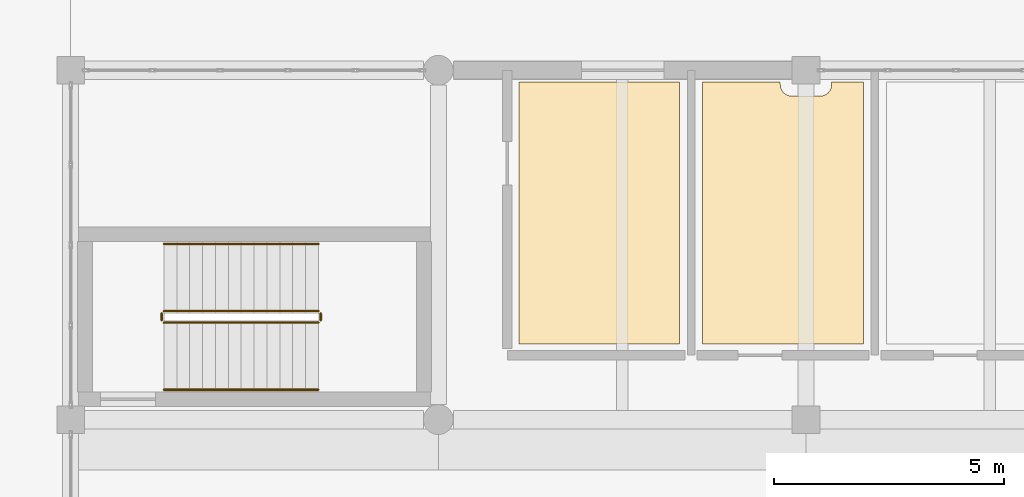
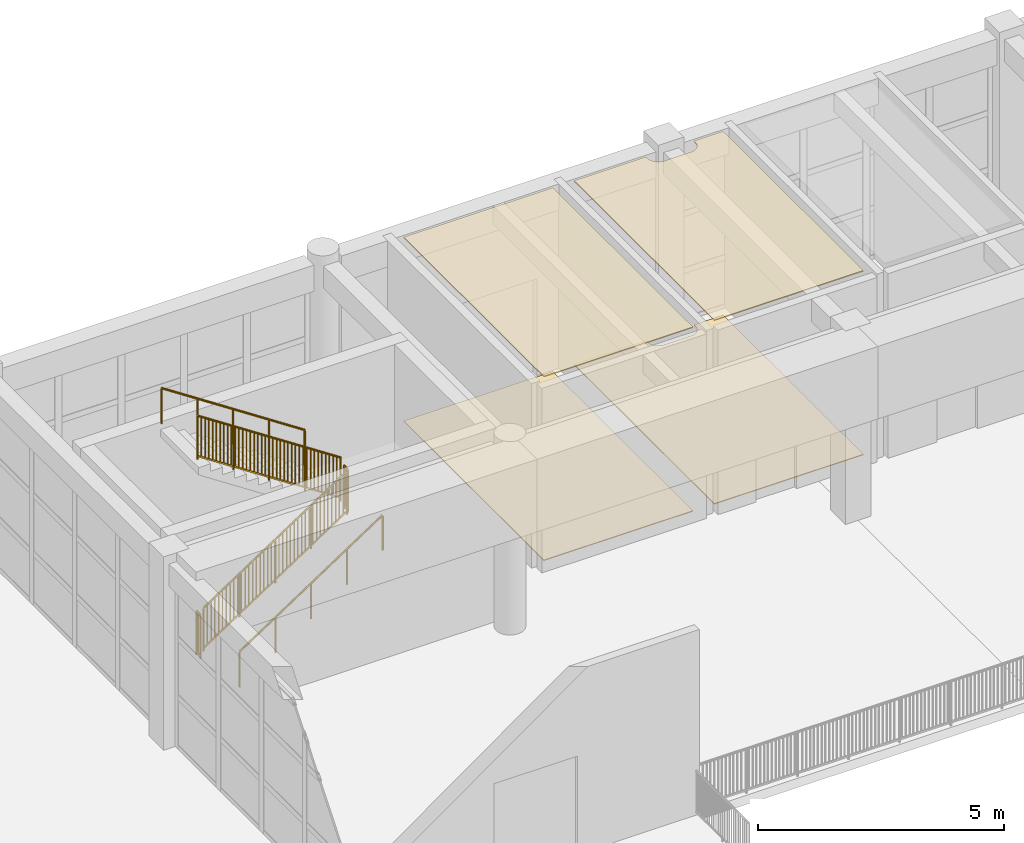
# One storey, part 31 of 32: 6 railings, 4 coverings.
"""IFC4 building model written with IfcOpenShell, lengths in metres."""

from ifc_helpers import new_model, si_unit, direction, frame, origin, origin_2d, place, context, subcontext, project, spatial, polyline, rectangle, circle, outline, extrude, material, layer, layer_set, type_object, element, save


model = new_model("IFC4")

# Units and contexts
model_context = context("Model", 3, precision=1e-05, world=origin(), true_north=direction((0.0, 1.0)))
body_context = subcontext(model_context, "Body", "Model", "MODEL_VIEW")
ifc_project = project(units=[si_unit("LENGTHUNIT", "METRE"), si_unit("AREAUNIT", "SQUARE_METRE"), si_unit("VOLUMEUNIT", "CUBIC_METRE"), si_unit("PLANEANGLEUNIT", "RADIAN"), si_unit("MASSUNIT", "GRAM", prefix="KILO")], contexts=[model_context])

# Site, building, storey
site_placement = place(None, origin())
site = spatial("IfcSite", under=ifc_project, at=site_placement, CompositionType="ELEMENT")
building_placement = place(site_placement, origin())
building = spatial("IfcBuilding", under=site, at=building_placement, Name="Zantavel Square City Hall", CompositionType="ELEMENT")
storey_placement = place(building_placement, frame((0.0, 0.0, 23.699951171875)))
storey = spatial("IfcBuildingStorey", under=building, at=storey_placement, Name="L06", CompositionType="ELEMENT", Elevation=23.699951171875)

# Railings
ifc_material_1 = material(Name="Steel ASTM A500 Grade B", Category="steel")
railing_type_1 = type_object("IfcRailingType", Name="Atrium & Gallery Steel Guard Railing 1100mm", PredefinedType="GUARDRAIL", material=ifc_material_1)
railing_1_placement = place(storey_placement, frame((66.030029296875, 62.909912109375, 0.1845703125)))
element("IfcRailing", 1, at=railing_1_placement, inside=storey, type_object=railing_type_1, Name="L06 ST5 stair guard 1", PredefinedType="GUARDRAIL", context=body_context, shape_type="SweptSolid", body=[
    extrude(circle(Radius=0.02392578125, at=origin_2d()), frame((0.0, 0.0, 1.076171875), z_axis=(0.83483021737, 0.0, 0.550507500554), x_axis=(0.0, 1.0, 0.0)), (0.0, 0.0, 1.0), 4.024658203125),
    extrude(rectangle(XDim=0.031982421875, YDim=0.031982421875, at=origin_2d()), frame((0.0, 0.0, 0.080078125), z_axis=(0.83483021737, 0.0, 0.550507500554), x_axis=(0.0, 1.0, 0.0)), (0.0, 0.0, 1.0), 4.024658203125),
    extrude(rectangle(XDim=0.02197265625, YDim=0.02197265625, at=origin_2d()), frame((0.08837890625, 0.0, 0.13818359375)), (0.0, 0.0, 1.0), 0.971923828125),
    extrude(rectangle(XDim=0.02197265625, YDim=0.02197265625, at=origin_2d()), frame((0.1767578125, 0.0, 0.196533203125)), (0.0, 0.0, 1.0), 0.971923828125),
    extrude(rectangle(XDim=0.02197265625, YDim=0.02197265625, at=origin_2d()), frame((0.26513671875, 0.0, 0.2548828125)), (0.0, 0.0, 1.0), 0.971923828125),
    extrude(rectangle(XDim=0.02197265625, YDim=0.02197265625, at=origin_2d()), frame((0.353759765625, 0.0, 0.313232421875)), (0.0, 0.0, 1.0), 0.971923828125),
    extrude(rectangle(XDim=0.02197265625, YDim=0.02197265625, at=origin_2d()), frame((0.442138671875, 0.0, 0.37158203125)), (0.0, 0.0, 1.0), 0.971923828125),
    extrude(rectangle(XDim=0.02197265625, YDim=0.02197265625, at=origin_2d()), frame((0.530517578125, 0.0, 0.429931640625)), (0.0, 0.0, 1.0), 0.971923828125),
    extrude(rectangle(XDim=0.02197265625, YDim=0.02197265625, at=origin_2d()), frame((0.618896484375, 0.0, 0.488037109375)), (0.0, 0.0, 1.0), 0.971923828125),
    extrude(rectangle(XDim=0.02197265625, YDim=0.02197265625, at=origin_2d()), frame((0.707275390625, 0.0, 0.54638671875)), (0.0, 0.0, 1.0), 0.971923828125),
    extrude(rectangle(XDim=0.02197265625, YDim=0.02197265625, at=origin_2d()), frame((0.795654296875, 0.0, 0.604736328125)), (0.0, 0.0, 1.0), 0.971923828125),
    extrude(rectangle(XDim=0.02197265625, YDim=0.02197265625, at=origin_2d()), frame((0.88427734375, 0.0, 0.6630859375)), (0.0, 0.0, 1.0), 0.971923828125),
    extrude(rectangle(XDim=0.02197265625, YDim=0.02197265625, at=origin_2d()), frame((0.97265625, 0.0, 0.721435546875)), (0.0, 0.0, 1.0), 0.971923828125),
    extrude(rectangle(XDim=0.02197265625, YDim=0.02197265625, at=origin_2d()), frame((1.06103515625, 0.0, 0.779541015625)), (0.0, 0.0, 1.0), 0.971923828125),
    extrude(rectangle(XDim=0.02197265625, YDim=0.02197265625, at=origin_2d()), frame((1.1494140625, 0.0, 0.837890625)), (0.0, 0.0, 1.0), 0.971923828125),
    extrude(rectangle(XDim=0.02197265625, YDim=0.02197265625, at=origin_2d()), frame((1.23779296875, 0.0, 0.896240234375)), (0.0, 0.0, 1.0), 0.971923828125),
    extrude(rectangle(XDim=0.02197265625, YDim=0.02197265625, at=origin_2d()), frame((1.326171875, 0.0, 0.95458984375)), (0.0, 0.0, 1.0), 0.971923828125),
    extrude(rectangle(XDim=0.02197265625, YDim=0.02197265625, at=origin_2d()), frame((1.414794921875, 0.0, 1.012939453125)), (0.0, 0.0, 1.0), 0.971923828125),
    extrude(rectangle(XDim=0.02197265625, YDim=0.02197265625, at=origin_2d()), frame((1.503173828125, 0.0, 1.0712890625)), (0.0, 0.0, 1.0), 0.971923828125),
    extrude(rectangle(XDim=0.02197265625, YDim=0.02197265625, at=origin_2d()), frame((1.591552734375, 0.0, 1.12939453125)), (0.0, 0.0, 1.0), 0.971923828125),
    extrude(rectangle(XDim=0.02197265625, YDim=0.02197265625, at=origin_2d()), frame((1.768310546875, 0.0, 1.24609375)), (0.0, 0.0, 1.0), 0.971923828125),
    extrude(rectangle(XDim=0.02197265625, YDim=0.02197265625, at=origin_2d()), frame((1.856689453125, 0.0, 1.304443359375)), (0.0, 0.0, 1.0), 0.971923828125),
    extrude(rectangle(XDim=0.02197265625, YDim=0.02197265625, at=origin_2d()), frame((1.945068359375, 0.0, 1.36279296875)), (0.0, 0.0, 1.0), 0.971923828125),
    extrude(rectangle(XDim=0.02197265625, YDim=0.02197265625, at=origin_2d()), frame((2.03369140625, 0.0, 1.4208984375)), (0.0, 0.0, 1.0), 0.971923828125),
    extrude(rectangle(XDim=0.02197265625, YDim=0.02197265625, at=origin_2d()), frame((2.1220703125, 0.0, 1.479248046875)), (0.0, 0.0, 1.0), 0.971923828125),
    extrude(rectangle(XDim=0.02197265625, YDim=0.02197265625, at=origin_2d()), frame((2.21044921875, 0.0, 1.53759765625)), (0.0, 0.0, 1.0), 0.971923828125),
    extrude(rectangle(XDim=0.02197265625, YDim=0.02197265625, at=origin_2d()), frame((2.298828125, 0.0, 1.595947265625)), (0.0, 0.0, 1.0), 0.971923828125),
    extrude(rectangle(XDim=0.02197265625, YDim=0.02197265625, at=origin_2d()), frame((2.38720703125, 0.0, 1.654296875)), (0.0, 0.0, 1.0), 0.971923828125),
    extrude(rectangle(XDim=0.02197265625, YDim=0.02197265625, at=origin_2d()), frame((2.4755859375, 0.0, 1.712646484375)), (0.0, 0.0, 1.0), 0.971923828125),
    extrude(rectangle(XDim=0.02197265625, YDim=0.02197265625, at=origin_2d()), frame((2.564208984375, 0.0, 1.770751953125)), (0.0, 0.0, 1.0), 0.971923828125),
    extrude(rectangle(XDim=0.02197265625, YDim=0.02197265625, at=origin_2d()), frame((2.652587890625, 0.0, 1.8291015625)), (0.0, 0.0, 1.0), 0.971923828125),
    extrude(rectangle(XDim=0.02197265625, YDim=0.02197265625, at=origin_2d()), frame((2.740966796875, 0.0, 1.887451171875)), (0.0, 0.0, 1.0), 0.971923828125),
    extrude(rectangle(XDim=0.02197265625, YDim=0.02197265625, at=origin_2d()), frame((2.829345703125, 0.0, 1.94580078125)), (0.0, 0.0, 1.0), 0.971923828125),
    extrude(rectangle(XDim=0.02197265625, YDim=0.02197265625, at=origin_2d()), frame((2.917724609375, 0.0, 2.004150390625)), (0.0, 0.0, 1.0), 0.971923828125),
    extrude(rectangle(XDim=0.02197265625, YDim=0.02197265625, at=origin_2d()), frame((3.006103515625, 0.0, 2.062255859375)), (0.0, 0.0, 1.0), 0.971923828125),
    extrude(rectangle(XDim=0.02197265625, YDim=0.02197265625, at=origin_2d()), frame((3.0947265625, 0.0, 2.12060546875)), (0.0, 0.0, 1.0), 0.971923828125),
    extrude(rectangle(XDim=0.02197265625, YDim=0.02197265625, at=origin_2d()), frame((3.18310546875, 0.0, 2.178955078125)), (0.0, 0.0, 1.0), 0.971923828125),
    extrude(rectangle(XDim=0.02197265625, YDim=0.02197265625, at=origin_2d()), frame((3.271484375, 0.0, 2.2373046875)), (0.0, 0.0, 1.0), 0.971923828125),
    extrude(circle(Radius=0.02099609375, at=origin_2d()), origin(), (0.0, 0.0, 1.0), 1.052001953125),
    extrude(circle(Radius=0.02099609375, at=origin_2d()), frame((0.83984375, 0.0, 0.553955078125)), (0.0, 0.0, 1.0), 1.052001953125),
    extrude(circle(Radius=0.02099609375, at=origin_2d()), frame((1.679931640625, 0.0, 1.10791015625)), (0.0, 0.0, 1.0), 1.052001953125),
    extrude(circle(Radius=0.02099609375, at=origin_2d()), frame((2.52001953125, 0.0, 1.66162109375)), (0.0, 0.0, 1.0), 1.052001953125),
    extrude(circle(Radius=0.02099609375, at=origin_2d()), frame((3.35986328125, 0.0, 2.215576171875)), (0.0, 0.0, 1.0), 1.052001953125),
])
railing_2_placement = place(storey_placement, frame((69.43994140625, 62.9599609375, 2.400146484375)))
element("IfcRailing", 2, at=railing_2_placement, inside=storey, type_object=railing_type_1, Name="L06 ST5 stair guard 2", PredefinedType="GUARDRAIL", context=body_context, shape_type="SweptSolid", body=[
    extrude(circle(Radius=0.02392578125, at=origin_2d()), frame((0.0, 0.0, 1.076171875), z_axis=(0.0, 1.0, 0.0), x_axis=(-1.0, 0.0, 0.0)), (0.0, 0.0, 1.0), 0.150146484375),
    extrude(rectangle(XDim=0.031982421875, YDim=0.031982421875, at=origin_2d()), frame((0.0, 0.0, 0.080078125), z_axis=(0.0, 1.0, 0.0), x_axis=(-1.0, 0.0, 0.0)), (0.0, 0.0, 1.0), 0.150146484375),
    extrude(rectangle(XDim=0.02197265625, YDim=0.02197265625, at=origin_2d()), frame((0.0, 0.0751953125, 0.080078125)), (0.0, 0.0, 1.0), 0.971923828125),
    extrude(circle(Radius=0.02099609375, at=origin_2d()), origin(), (0.0, 0.0, 1.0), 1.052001953125),
    extrude(circle(Radius=0.02099609375, at=origin_2d()), frame((0.0, 0.150146484375, 0.0)), (0.0, 0.0, 1.0), 1.052001953125),
])
railing_3_placement = place(storey_placement, frame((69.389892578125, 63.159912109375, 2.584716796875)))
element("IfcRailing", 3, at=railing_3_placement, inside=storey, type_object=railing_type_1, Name="L06 ST5 stair guard 3", PredefinedType="GUARDRAIL", context=body_context, shape_type="SweptSolid", body=[
    extrude(circle(Radius=0.02392578125, at=origin_2d()), frame((0.0, 0.0, 1.076171875), z_axis=(-0.834858096282, 0.0, 0.550465220583), x_axis=(0.0, -1.0, 0.0)), (0.0, 0.0, 1.0), 4.0244140625),
    extrude(rectangle(XDim=0.031982421875, YDim=0.031982421875, at=origin_2d()), frame((0.0, 0.0, 0.080078125), z_axis=(-0.834858096282, 0.0, 0.550465220583), x_axis=(0.0, -1.0, 0.0)), (0.0, 0.0, 1.0), 4.0244140625),
    extrude(rectangle(XDim=0.02197265625, YDim=0.02197265625, at=origin_2d()), frame((-0.08837890625, 0.0, 0.13818359375)), (0.0, 0.0, 1.0), 0.971923828125),
    extrude(rectangle(XDim=0.02197265625, YDim=0.02197265625, at=origin_2d()), frame((-0.1767578125, 0.0, 0.196533203125)), (0.0, 0.0, 1.0), 0.971923828125),
    extrude(rectangle(XDim=0.02197265625, YDim=0.02197265625, at=origin_2d()), frame((-0.26513671875, 0.0, 0.2548828125)), (0.0, 0.0, 1.0), 0.971923828125),
    extrude(rectangle(XDim=0.02197265625, YDim=0.02197265625, at=origin_2d()), frame((-0.353759765625, 0.0, 0.313232421875)), (0.0, 0.0, 1.0), 0.971923828125),
    extrude(rectangle(XDim=0.02197265625, YDim=0.02197265625, at=origin_2d()), frame((-0.442138671875, 0.0, 0.37158203125)), (0.0, 0.0, 1.0), 0.971923828125),
    extrude(rectangle(XDim=0.02197265625, YDim=0.02197265625, at=origin_2d()), frame((-0.530517578125, 0.0, 0.4296875)), (0.0, 0.0, 1.0), 0.971923828125),
    extrude(rectangle(XDim=0.02197265625, YDim=0.02197265625, at=origin_2d()), frame((-0.618896484375, 0.0, 0.488037109375)), (0.0, 0.0, 1.0), 0.971923828125),
    extrude(rectangle(XDim=0.02197265625, YDim=0.02197265625, at=origin_2d()), frame((-0.707275390625, 0.0, 0.54638671875)), (0.0, 0.0, 1.0), 0.971923828125),
    extrude(rectangle(XDim=0.02197265625, YDim=0.02197265625, at=origin_2d()), frame((-0.795654296875, 0.0, 0.604736328125)), (0.0, 0.0, 1.0), 0.971923828125),
    extrude(rectangle(XDim=0.02197265625, YDim=0.02197265625, at=origin_2d()), frame((-0.88427734375, 0.0, 0.6630859375)), (0.0, 0.0, 1.0), 0.971923828125),
    extrude(rectangle(XDim=0.02197265625, YDim=0.02197265625, at=origin_2d()), frame((-0.97265625, 0.0, 0.72119140625)), (0.0, 0.0, 1.0), 0.971923828125),
    extrude(rectangle(XDim=0.02197265625, YDim=0.02197265625, at=origin_2d()), frame((-1.06103515625, 0.0, 0.779541015625)), (0.0, 0.0, 1.0), 0.971923828125),
    extrude(rectangle(XDim=0.02197265625, YDim=0.02197265625, at=origin_2d()), frame((-1.1494140625, 0.0, 0.837890625)), (0.0, 0.0, 1.0), 0.971923828125),
    extrude(rectangle(XDim=0.02197265625, YDim=0.02197265625, at=origin_2d()), frame((-1.23779296875, 0.0, 0.896240234375)), (0.0, 0.0, 1.0), 0.971923828125),
    extrude(rectangle(XDim=0.02197265625, YDim=0.02197265625, at=origin_2d()), frame((-1.326171875, 0.0, 0.95458984375)), (0.0, 0.0, 1.0), 0.971923828125),
    extrude(rectangle(XDim=0.02197265625, YDim=0.02197265625, at=origin_2d()), frame((-1.414794921875, 0.0, 1.0126953125)), (0.0, 0.0, 1.0), 0.971923828125),
    extrude(rectangle(XDim=0.02197265625, YDim=0.02197265625, at=origin_2d()), frame((-1.503173828125, 0.0, 1.071044921875)), (0.0, 0.0, 1.0), 0.971923828125),
    extrude(rectangle(XDim=0.02197265625, YDim=0.02197265625, at=origin_2d()), frame((-1.591552734375, 0.0, 1.12939453125)), (0.0, 0.0, 1.0), 0.971923828125),
    extrude(rectangle(XDim=0.02197265625, YDim=0.02197265625, at=origin_2d()), frame((-1.768310546875, 0.0, 1.245849609375)), (0.0, 0.0, 1.0), 0.971923828125),
    extrude(rectangle(XDim=0.02197265625, YDim=0.02197265625, at=origin_2d()), frame((-1.856689453125, 0.0, 1.30419921875)), (0.0, 0.0, 1.0), 0.971923828125),
    extrude(rectangle(XDim=0.02197265625, YDim=0.02197265625, at=origin_2d()), frame((-1.945068359375, 0.0, 1.362548828125)), (0.0, 0.0, 1.0), 0.971923828125),
    extrude(rectangle(XDim=0.02197265625, YDim=0.02197265625, at=origin_2d()), frame((-2.03369140625, 0.0, 1.4208984375)), (0.0, 0.0, 1.0), 0.971923828125),
    extrude(rectangle(XDim=0.02197265625, YDim=0.02197265625, at=origin_2d()), frame((-2.1220703125, 0.0, 1.479248046875)), (0.0, 0.0, 1.0), 0.971923828125),
    extrude(rectangle(XDim=0.02197265625, YDim=0.02197265625, at=origin_2d()), frame((-2.21044921875, 0.0, 1.537353515625)), (0.0, 0.0, 1.0), 0.971923828125),
    extrude(rectangle(XDim=0.02197265625, YDim=0.02197265625, at=origin_2d()), frame((-2.298828125, 0.0, 1.595703125)), (0.0, 0.0, 1.0), 0.971923828125),
    extrude(rectangle(XDim=0.02197265625, YDim=0.02197265625, at=origin_2d()), frame((-2.38720703125, 0.0, 1.654052734375)), (0.0, 0.0, 1.0), 0.971923828125),
    extrude(rectangle(XDim=0.02197265625, YDim=0.02197265625, at=origin_2d()), frame((-2.4755859375, 0.0, 1.71240234375)), (0.0, 0.0, 1.0), 0.971923828125),
    extrude(rectangle(XDim=0.02197265625, YDim=0.02197265625, at=origin_2d()), frame((-2.564208984375, 0.0, 1.770751953125)), (0.0, 0.0, 1.0), 0.971923828125),
    extrude(rectangle(XDim=0.02197265625, YDim=0.02197265625, at=origin_2d()), frame((-2.652587890625, 0.0, 1.828857421875)), (0.0, 0.0, 1.0), 0.971923828125),
    extrude(rectangle(XDim=0.02197265625, YDim=0.02197265625, at=origin_2d()), frame((-2.740966796875, 0.0, 1.88720703125)), (0.0, 0.0, 1.0), 0.971923828125),
    extrude(rectangle(XDim=0.02197265625, YDim=0.02197265625, at=origin_2d()), frame((-2.829345703125, 0.0, 1.945556640625)), (0.0, 0.0, 1.0), 0.971923828125),
    extrude(rectangle(XDim=0.02197265625, YDim=0.02197265625, at=origin_2d()), frame((-2.917724609375, 0.0, 2.00390625)), (0.0, 0.0, 1.0), 0.971923828125),
    extrude(rectangle(XDim=0.02197265625, YDim=0.02197265625, at=origin_2d()), frame((-3.006103515625, 0.0, 2.062255859375)), (0.0, 0.0, 1.0), 0.971923828125),
    extrude(rectangle(XDim=0.02197265625, YDim=0.02197265625, at=origin_2d()), frame((-3.0947265625, 0.0, 2.120361328125)), (0.0, 0.0, 1.0), 0.971923828125),
    extrude(rectangle(XDim=0.02197265625, YDim=0.02197265625, at=origin_2d()), frame((-3.18310546875, 0.0, 2.1787109375)), (0.0, 0.0, 1.0), 0.971923828125),
    extrude(rectangle(XDim=0.02197265625, YDim=0.02197265625, at=origin_2d()), frame((-3.271484375, 0.0, 2.237060546875)), (0.0, 0.0, 1.0), 0.971923828125),
    extrude(circle(Radius=0.02099609375, at=origin_2d()), origin(), (0.0, 0.0, 1.0), 1.052001953125),
    extrude(circle(Radius=0.02099609375, at=origin_2d()), frame((-0.83984375, 0.0, 0.5537109375)), (0.0, 0.0, 1.0), 1.052001953125),
    extrude(circle(Radius=0.02099609375, at=origin_2d()), frame((-1.679931640625, 0.0, 1.107666015625)), (0.0, 0.0, 1.0), 1.052001953125),
    extrude(circle(Radius=0.02099609375, at=origin_2d()), frame((-2.52001953125, 0.0, 1.66162109375)), (0.0, 0.0, 1.0), 1.052001953125),
    extrude(circle(Radius=0.02099609375, at=origin_2d()), frame((-3.35986328125, 0.0, 2.21533203125)), (0.0, 0.0, 1.0), 1.052001953125),
])
railing_4_placement = place(storey_placement, frame((65.97998046875, 62.9599609375, 0.0)))
element("IfcRailing", 4, at=railing_4_placement, inside=storey, type_object=railing_type_1, Name="L06 ST5 stair guard 4", PredefinedType="GUARDRAIL", context=body_context, shape_type="SweptSolid", body=[
    extrude(circle(Radius=0.02392578125, at=origin_2d()), frame((0.0, 0.0, 1.076171875), z_axis=(0.0, 1.0, 0.0), x_axis=(-1.0, 0.0, 0.0)), (0.0, 0.0, 1.0), 0.150146484375),
    extrude(rectangle(XDim=0.031982421875, YDim=0.031982421875, at=origin_2d()), frame((0.0, 0.0, 0.080078125), z_axis=(0.0, 1.0, 0.0), x_axis=(-1.0, 0.0, 0.0)), (0.0, 0.0, 1.0), 0.150146484375),
    extrude(rectangle(XDim=0.02197265625, YDim=0.02197265625, at=origin_2d()), frame((0.0, 0.0751953125, 0.080078125)), (0.0, 0.0, 1.0), 0.971923828125),
    extrude(circle(Radius=0.02099609375, at=origin_2d()), origin(), (0.0, 0.0, 1.0), 1.052001953125),
    extrude(circle(Radius=0.02099609375, at=origin_2d()), frame((0.0, 0.150146484375, 0.0)), (0.0, 0.0, 1.0), 1.052001953125),
])

# Coverings
ifc_material_2 = material(Name="Terrazzo stone finish", Category="masonry")
ifc_layer_1 = layer(ifc_material_2, 0.02001953125, Name="Terrazzo stone finish")
ifc_layer_set_1 = layer_set([ifc_layer_1], Name="Terrazzo stone finish")
covering_type_1 = type_object("IfcCoveringType", Name="Honed Cantera-Terrazzo Civic Flooring 20mm", PredefinedType="FLOORING", material=ifc_layer_set_1)
covering_1_placement = place(storey_placement, origin())
element("IfcCovering", 5, at=covering_1_placement, inside=storey, type_object=covering_type_1, Name="L06 L06 Mens Restroom Terrazzo Flooring", PredefinedType="FLOORING", context=body_context, shape_type="SweptSolid", body=[
    extrude(outline(polyline([(73.75, 62.449951171875), (73.75, 68.14990234375), (77.25, 68.14990234375), (77.25, 62.449951171875), (73.75, 62.449951171875)])), origin(), (0.0, 0.0, 1.0), 0.02001953125),
])
covering_2_placement = place(storey_placement, origin())
element("IfcCovering", 6, at=covering_2_placement, inside=storey, type_object=covering_type_1, Name="L06 L06 Womens Restroom Terrazzo Flooring", PredefinedType="FLOORING", context=body_context, shape_type="SweptSolid", body=[
    extrude(outline(polyline([(79.441162109375, 68.0654296875), (79.44482421875, 68.041259765625), (79.45068359375, 68.017333984375), (79.458984375, 67.994384765625), (79.469482421875, 67.97216796875), (79.482177734375, 67.951171875), (79.49658203125, 67.931396484375), (79.51318359375, 67.9130859375), (79.531494140625, 67.896728515625), (79.551025390625, 67.882080078125), (79.572265625, 67.869384765625), (79.59423828125, 67.85888671875), (79.617431640625, 67.850830078125), (79.64111328125, 67.8447265625), (79.66552734375, 67.84130859375), (79.68994140625, 67.840087890625), (80.31005859375, 67.840087890625), (80.33447265625, 67.84130859375), (80.35888671875, 67.8447265625), (80.382568359375, 67.850830078125), (80.40576171875, 67.85888671875), (80.427734375, 67.869384765625), (80.448974609375, 67.882080078125), (80.468505859375, 67.896728515625), (80.48681640625, 67.9130859375), (80.50341796875, 67.931396484375), (80.517822265625, 67.951171875), (80.530517578125, 67.97216796875), (80.541015625, 67.994384765625), (80.54931640625, 68.017333984375), (80.55517578125, 68.041259765625), (80.558837890625, 68.0654296875), (80.56005859375, 68.090087890625), (80.56005859375, 68.14990234375), (81.25, 68.14990234375), (81.25, 62.449951171875), (77.75, 62.449951171875), (77.75, 68.14990234375), (79.43994140625, 68.14990234375), (79.43994140625, 68.090087890625), (79.441162109375, 68.0654296875)])), origin(), (0.0, 0.0, 1.0), 0.02001953125),
])
ifc_material_3 = material(Name="Gypsum acoustic stud assembly", Category="masonry")
ifc_layer_2 = layer(ifc_material_3, 0.02490234375, Name="Gypsum acoustic stud assembly")
ifc_layer_set_2 = layer_set([ifc_layer_2], Name="Gypsum acoustic stud assembly")
covering_type_2 = type_object("IfcCoveringType", Name="Perforated Gypsum Acoustic Ceiling 25mm", PredefinedType="CEILING", material=ifc_layer_set_2)
covering_3_placement = place(storey_placement, frame((0.0, 0.0, 4.554931640625)))
element("IfcCovering", 7, at=covering_3_placement, inside=storey, type_object=covering_type_2, Name="L06 L06 Mens Restroom Acoustic Ceiling", PredefinedType="CEILING", context=body_context, shape_type="SweptSolid", body=[
    extrude(outline(polyline([(73.75, 62.449951171875), (73.75, 68.14990234375), (77.25, 68.14990234375), (77.25, 62.449951171875), (73.75, 62.449951171875)])), origin(), (0.0, 0.0, 1.0), 0.025146484375),
])
covering_4_placement = place(storey_placement, frame((0.0, 0.0, 4.554931640625)))
element("IfcCovering", 8, at=covering_4_placement, inside=storey, type_object=covering_type_2, Name="L06 L06 Womens Restroom Acoustic Ceiling", PredefinedType="CEILING", context=body_context, shape_type="SweptSolid", body=[
    extrude(outline(polyline([(79.441162109375, 68.0654296875), (79.44482421875, 68.041259765625), (79.45068359375, 68.017333984375), (79.458984375, 67.994384765625), (79.469482421875, 67.97216796875), (79.482177734375, 67.951171875), (79.49658203125, 67.931396484375), (79.51318359375, 67.9130859375), (79.531494140625, 67.896728515625), (79.551025390625, 67.882080078125), (79.572265625, 67.869384765625), (79.59423828125, 67.85888671875), (79.617431640625, 67.850830078125), (79.64111328125, 67.8447265625), (79.66552734375, 67.84130859375), (79.68994140625, 67.840087890625), (80.31005859375, 67.840087890625), (80.33447265625, 67.84130859375), (80.35888671875, 67.8447265625), (80.382568359375, 67.850830078125), (80.40576171875, 67.85888671875), (80.427734375, 67.869384765625), (80.448974609375, 67.882080078125), (80.468505859375, 67.896728515625), (80.48681640625, 67.9130859375), (80.50341796875, 67.931396484375), (80.517822265625, 67.951171875), (80.530517578125, 67.97216796875), (80.541015625, 67.994384765625), (80.54931640625, 68.017333984375), (80.55517578125, 68.041259765625), (80.558837890625, 68.0654296875), (80.56005859375, 68.090087890625), (80.56005859375, 68.14990234375), (81.25, 68.14990234375), (81.25, 62.449951171875), (77.75, 62.449951171875), (77.75, 68.14990234375), (79.43994140625, 68.14990234375), (79.43994140625, 68.090087890625), (79.441162109375, 68.0654296875)])), origin(), (0.0, 0.0, 1.0), 0.025146484375),
])

# Railings
ifc_material_4 = material(Name="Stainless steel 316", Category="steel")
railing_type_2 = type_object("IfcRailingType", Name="Stair Stainless Steel Handrail 900mm", PredefinedType="HANDRAIL", material=ifc_material_4)
railing_5_placement = place(storey_placement, frame((66.030029296875, 61.449951171875, 0.1845703125)))
element("IfcRailing", 9, at=railing_5_placement, inside=storey, type_object=railing_type_2, Name="L06 ST5 stair handrail 1", PredefinedType="HANDRAIL", context=body_context, shape_type="SweptSolid", body=[
    extrude(circle(Radius=0.02392578125, at=origin_2d()), frame((0.0, 0.0, 0.8759765625), z_axis=(0.83483021737, 0.0, 0.550507500554), x_axis=(0.0, 1.0, 0.0)), (0.0, 0.0, 1.0), 4.024658203125),
    extrude(circle(Radius=0.02099609375, at=origin_2d()), origin(), (0.0, 0.0, 1.0), 0.851806640625),
    extrude(circle(Radius=0.02099609375, at=origin_2d()), frame((0.83984375, 0.0, 0.553955078125)), (0.0, 0.0, 1.0), 0.851806640625),
    extrude(circle(Radius=0.02099609375, at=origin_2d()), frame((1.679931640625, 0.0, 1.10791015625)), (0.0, 0.0, 1.0), 0.851806640625),
    extrude(circle(Radius=0.02099609375, at=origin_2d()), frame((2.52001953125, 0.0, 1.66162109375)), (0.0, 0.0, 1.0), 0.851806640625),
    extrude(circle(Radius=0.02099609375, at=origin_2d()), frame((3.35986328125, 0.0, 2.215576171875)), (0.0, 0.0, 1.0), 0.851806640625),
])
railing_6_placement = place(storey_placement, frame((69.389892578125, 64.6201171875, 2.584716796875)))
element("IfcRailing", 10, at=railing_6_placement, inside=storey, type_object=railing_type_2, Name="L06 ST5 stair handrail 2", PredefinedType="HANDRAIL", context=body_context, shape_type="SweptSolid", body=[
    extrude(circle(Radius=0.02392578125, at=origin_2d()), frame((0.0, 0.0, 0.8759765625), z_axis=(-0.834858096282, 0.0, 0.550465220583), x_axis=(0.0, -1.0, 0.0)), (0.0, 0.0, 1.0), 4.0244140625),
    extrude(circle(Radius=0.02099609375, at=origin_2d()), origin(), (0.0, 0.0, 1.0), 0.851806640625),
    extrude(circle(Radius=0.02099609375, at=origin_2d()), frame((-0.83984375, 0.0, 0.5537109375)), (0.0, 0.0, 1.0), 0.851806640625),
    extrude(circle(Radius=0.02099609375, at=origin_2d()), frame((-1.679931640625, 0.0, 1.107666015625)), (0.0, 0.0, 1.0), 0.851806640625),
    extrude(circle(Radius=0.02099609375, at=origin_2d()), frame((-2.52001953125, 0.0, 1.66162109375)), (0.0, 0.0, 1.0), 0.851806640625),
    extrude(circle(Radius=0.02099609375, at=origin_2d()), frame((-3.35986328125, 0.0, 2.21533203125)), (0.0, 0.0, 1.0), 0.851806640625),
])

save(model, "model.ifc")
